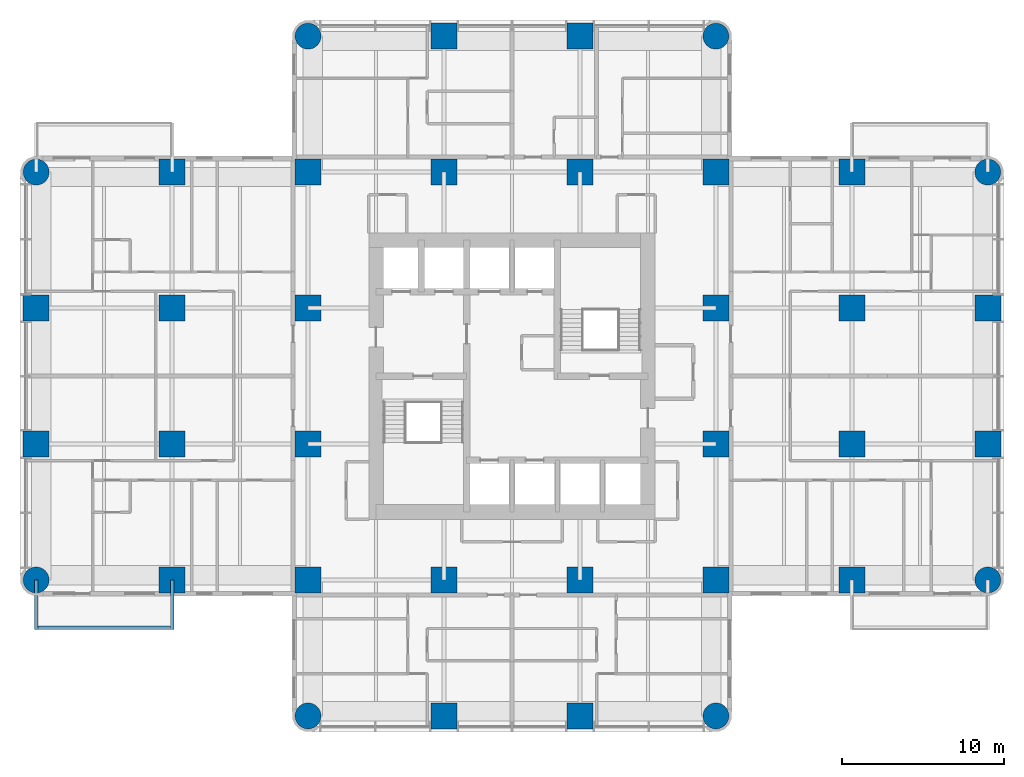
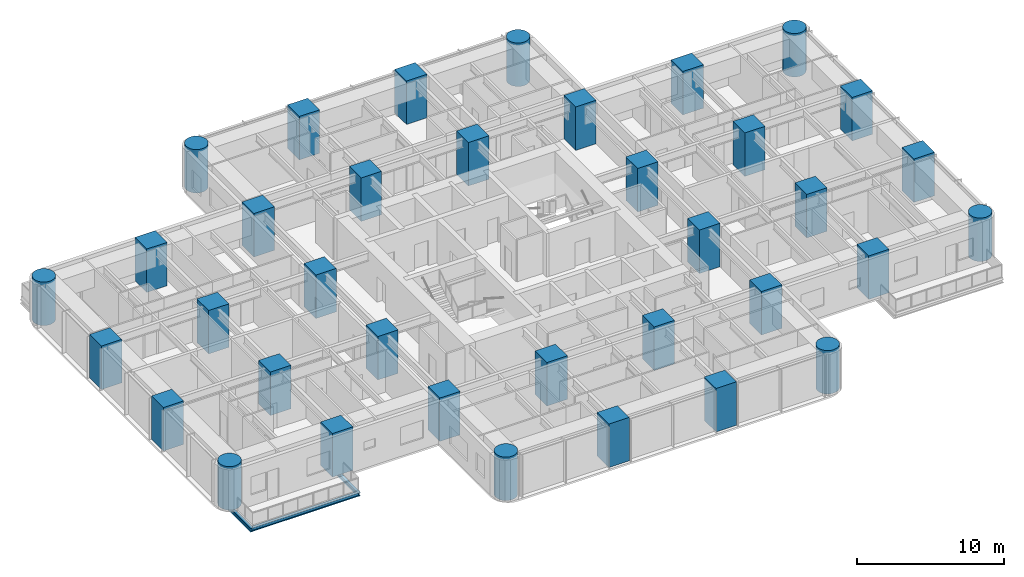
# One storey, part 1 of 15: 36 columns, 3 beams.
"""IFC4 building model written with IfcOpenShell, lengths in metres."""

from ifc_helpers import new_model, si_unit, direction, frame, origin, origin_2d, place, context, subcontext, project, spatial, rectangle, circle, i_section, extrude, material, material_profile, profile_set, type_object, element, save


model = new_model("IFC4")

# Units and contexts
model_context = context("Model", 3, precision=1e-05, world=origin(), true_north=direction((0.0, 1.0)))
body_context = subcontext(model_context, "Body", "Model", "MODEL_VIEW")
ifc_project = project(units=[si_unit("LENGTHUNIT", "METRE"), si_unit("AREAUNIT", "SQUARE_METRE"), si_unit("VOLUMEUNIT", "CUBIC_METRE"), si_unit("PLANEANGLEUNIT", "RADIAN"), si_unit("MASSUNIT", "GRAM", prefix="KILO")], contexts=[model_context])

# Site, building, storey
site_placement = place(None, origin())
site = spatial("IfcSite", under=ifc_project, at=site_placement, CompositionType="ELEMENT")
building_placement = place(site_placement, origin())
building = spatial("IfcBuilding", under=site, at=building_placement, Name="Torre Alcanfor", CompositionType="ELEMENT")
storey_placement = place(building_placement, frame((0.0, 0.0, 152.10009765625)))
storey = spatial("IfcBuildingStorey", under=building, at=storey_placement, Name="L39", CompositionType="ELEMENT", Elevation=152.10009765625)

# Columns
ifc_material_1 = material(Name="Concrete f'c 70 MPa", Category="concrete")
ifc_material_profile_1 = material_profile(ifc_material_1, rectangle(XDim=1.60009765625, YDim=1.60009765625, at=origin_2d()), Name="1600x1600")
ifc_profile_set_1 = profile_set([ifc_material_profile_1], Name="Concrete f'c 70 MPa")
column_type_1 = type_object("IfcColumnType", Name="RC column 1600x1600 f'c70", PredefinedType="COLUMN", material=ifc_profile_set_1)
for number, where, z_axis, x_axis, name in (
    (1, (0.0, 25.199951171875, 0.0), (0.0, 0.0, 1.0), (1.0, 0.0, 0.0), "Column 1/F L39"),
    (2, (0.0, 33.60009765625, 0.0), (0.0, 0.0, 1.0), (1.0, 0.0, 0.0), "Column 1/G L39"),
    (3, (8.39990234375, 16.800048828125, 0.0), (0.0, 0.0, 1.0), (1.0, 0.0, 0.0), "Column 2/E L39"),
    (4, (8.39990234375, 25.199951171875, 0.0), (0.0, 0.0, 1.0), (1.0, 0.0, 0.0), "Column 2/F L39"),
    (5, (8.39990234375, 33.60009765625, 0.0), (0.0, 0.0, 1.0), (1.0, 0.0, 0.0), "Column 2/G L39"),
    (6, (8.39990234375, 42.0, 0.0), (0.0, 0.0, 1.0), (1.0, 0.0, 0.0), "Column 2/H L39"),
    (7, (16.800048828125, 16.800048828125, 0.0), (0.0, 0.0, 1.0), (1.0, 0.0, 0.0), "Column 3/E L39"),
    (8, (16.800048828125, 25.199951171875, 0.0), (0.0, 0.0, 1.0), (1.0, 0.0, 0.0), "Column 3/F L39"),
    (9, (16.800048828125, 33.60009765625, 0.0), (0.0, 0.0, 1.0), (1.0, 0.0, 0.0), "Column 3/G L39"),
    (10, (16.800048828125, 42.0, 0.0), (0.0, 0.0, 1.0), (1.0, 0.0, 0.0), "Column 3/H L39"),
    (11, (25.199951171875, 8.39990234375, 0.0), (0.0, 0.0, 1.0), (1.0, 0.0, 0.0), "Column 4/D L39"),
    (12, (25.199951171875, 16.800048828125, 0.0), (0.0, 0.0, 1.0), (1.0, 0.0, 0.0), "Column 4/E L39"),
    (13, (25.199951171875, 42.0, 0.0), (0.0, 0.0, 1.0), (1.0, 0.0, 0.0), "Column 4/H L39"),
    (14, (25.199951171875, 50.39990234375, 0.0), (0.0, 0.0, 1.0), (1.0, 0.0, 0.0), "Column 4/J L39"),
    (15, (33.60009765625, 8.39990234375, 0.0), (0.0, 0.0, 1.0), (1.0, 0.0, 0.0), "Column 5/D L39"),
    (16, (33.60009765625, 16.800048828125, 0.0), (0.0, 0.0, 1.0), (1.0, 0.0, 0.0), "Column 5/E L39"),
    (17, (33.60009765625, 42.0, 0.0), (0.0, 0.0, 1.0), (1.0, 0.0, 0.0), "Column 5/H L39"),
    (18, (33.60009765625, 50.39990234375, 0.0), (0.0, 0.0, 1.0), (1.0, 0.0, 0.0), "Column 5/J L39"),
    (19, (42.0, 16.800048828125, 0.0), (0.0, 0.0, 1.0), (1.0, 0.0, 0.0), "Column 6/E L39"),
    (20, (42.0, 25.199951171875, 0.0), (0.0, 0.0, 1.0), (1.0, 0.0, 0.0), "Column 6/F L39"),
    (21, (42.0, 33.60009765625, 0.0), (0.0, 0.0, 1.0), (1.0, 0.0, 0.0), "Column 6/G L39"),
    (22, (42.0, 42.0, 0.0), (0.0, 0.0, 1.0), (1.0, 0.0, 0.0), "Column 6/H L39"),
    (23, (50.39990234375, 16.800048828125, 0.0), (0.0, 0.0, 1.0), (1.0, 0.0, 0.0), "Column 7/E L39"),
    (24, (50.39990234375, 25.199951171875, 0.0), (0.0, 0.0, 1.0), (1.0, 0.0, 0.0), "Column 7/F L39"),
    (25, (50.39990234375, 33.60009765625, 0.0), (0.0, 0.0, 1.0), (1.0, 0.0, 0.0), "Column 7/G L39"),
    (26, (50.39990234375, 42.0, 0.0), (0.0, 0.0, 1.0), (1.0, 0.0, 0.0), "Column 7/H L39"),
    (27, (58.800048828125, 25.199951171875, 0.0), (0.0, 0.0, 1.0), (1.0, 0.0, 0.0), "Column 8/F L39"),
    (28, (58.800048828125, 33.60009765625, 0.0), (0.0, 0.0, 1.0), (1.0, 0.0, 0.0), "Column 8/G L39"),
):
    element("IfcColumn", number, at=place(storey_placement, frame(where, z_axis=z_axis, x_axis=x_axis)), inside=storey, type_object=column_type_1, Name=name, PredefinedType="COLUMN", context=body_context, shape_type="SweptSolid", body=[
        extrude(rectangle(XDim=1.60009765625, YDim=1.60009765625, at=origin_2d()), origin(), (0.0, 0.0, 1.0), 3.599853515625),
    ])
ifc_material_2 = material(Name="Concrete f'c 70 MPa", Category="concrete")
ifc_material_profile_2 = material_profile(ifc_material_2, circle(Radius=0.800048828125, at=origin_2d()), Name="D1600")
ifc_profile_set_2 = profile_set([ifc_material_profile_2], Name="Concrete f'c 70 MPa")
column_type_2 = type_object("IfcColumnType", Name="RC column D1600 f'c70", PredefinedType="COLUMN", material=ifc_profile_set_2)
for number, where, z_axis, x_axis, name in (
    (29, (0.0, 16.800048828125, 0.0), (0.0, 0.0, 1.0), (1.0, 0.0, 0.0), "Column 1/E L39"),
    (30, (0.0, 42.0, 0.0), (0.0, 0.0, 1.0), (1.0, 0.0, 0.0), "Column 1/H L39"),
    (31, (16.800048828125, 8.39990234375, 0.0), (0.0, 0.0, 1.0), (1.0, 0.0, 0.0), "Column 3/D L39"),
    (32, (16.800048828125, 50.39990234375, 0.0), (0.0, 0.0, 1.0), (1.0, 0.0, 0.0), "Column 3/J L39"),
    (33, (42.0, 8.39990234375, 0.0), (0.0, 0.0, 1.0), (1.0, 0.0, 0.0), "Column 6/D L39"),
    (34, (42.0, 50.39990234375, 0.0), (0.0, 0.0, 1.0), (1.0, 0.0, 0.0), "Column 6/J L39"),
    (35, (58.800048828125, 16.800048828125, 0.0), (0.0, 0.0, 1.0), (1.0, 0.0, 0.0), "Column 8/E L39"),
    (36, (58.800048828125, 42.0, 0.0), (0.0, 0.0, 1.0), (1.0, 0.0, 0.0), "Column 8/H L39"),
):
    element("IfcColumn", number, at=place(storey_placement, frame(where, z_axis=z_axis, x_axis=x_axis)), inside=storey, type_object=column_type_2, Name=name, PredefinedType="COLUMN", context=body_context, shape_type="SweptSolid", body=[
        extrude(circle(Radius=0.800048828125, at=origin_2d()), origin(), (0.0, 0.0, 1.0), 3.599853515625),
    ])

# Beams
ifc_material_3 = material(Name="Steel ASTM A992 Grade 50", Category="steel")
ifc_material_profile_3 = material_profile(ifc_material_3, i_section(OverallWidth=0.205322265625, OverallDepth=0.309814453125, WebThickness=0.00927734375, FlangeThickness=0.016357421875, at=origin_2d()), Name="W12x50")
ifc_profile_set_3 = profile_set([ifc_material_profile_3], Name="Steel ASTM A992 Grade 50")
beam_type_1 = type_object("IfcBeamType", Name="Balcony cantilever beam W12x50", PredefinedType="BEAM", material=ifc_profile_set_3)
for number, where, z_axis, x_axis, name in (
    (37, (8.39990234375, 16.800048828125, -0.35498046875), (0.0, -1.0, 0.0), (1.0, 0.0, 0.0), "Balcony cantilever beam L39-W1 1"),
    (38, (0.0, 16.800048828125, -0.35498046875), (0.0, -1.0, 0.0), (1.0, 0.0, 0.0), "Balcony cantilever beam L39-W1 2"),
):
    element("IfcBeam", number, at=place(storey_placement, frame(where, z_axis=z_axis, x_axis=x_axis)), inside=storey, type_object=beam_type_1, Name=name, PredefinedType="BEAM", context=body_context, shape_type="SweptSolid", body=[
        extrude(i_section(OverallWidth=0.205322265625, OverallDepth=0.309814453125, WebThickness=0.00927734375, FlangeThickness=0.016357421875, at=origin_2d()), origin(), (0.0, 0.0, 1.0), 3.050048828125),
    ])
ifc_material_4 = material(Name="Steel ASTM A992 Grade 50", Category="steel")
ifc_material_profile_4 = material_profile(ifc_material_4, i_section(OverallWidth=0.203369140625, OverallDepth=0.30224609375, WebThickness=0.007568359375, FlangeThickness=0.01318359375, at=origin_2d()), Name="W12x40")
ifc_profile_set_4 = profile_set([ifc_material_profile_4], Name="Steel ASTM A992 Grade 50")
beam_type_2 = type_object("IfcBeamType", Name="Balcony edge trimmer W12x40", PredefinedType="BEAM", material=ifc_profile_set_4)
beam_placement = place(storey_placement, frame((8.39990234375, 13.851806640625, -0.351318359375), z_axis=(-1.0, 0.0, 0.0), x_axis=(0.0, -1.0, 0.0)))
element("IfcBeam", 39, at=beam_placement, inside=storey, type_object=beam_type_2, Name="Balcony edge trimmer L39-W1", PredefinedType="BEAM", context=body_context, shape_type="SweptSolid", body=[
    extrude(i_section(OverallWidth=0.203369140625, OverallDepth=0.30224609375, WebThickness=0.007568359375, FlangeThickness=0.01318359375, at=origin_2d()), origin(), (0.0, 0.0, 1.0), 8.39990234375),
])

save(model, "model.ifc")
